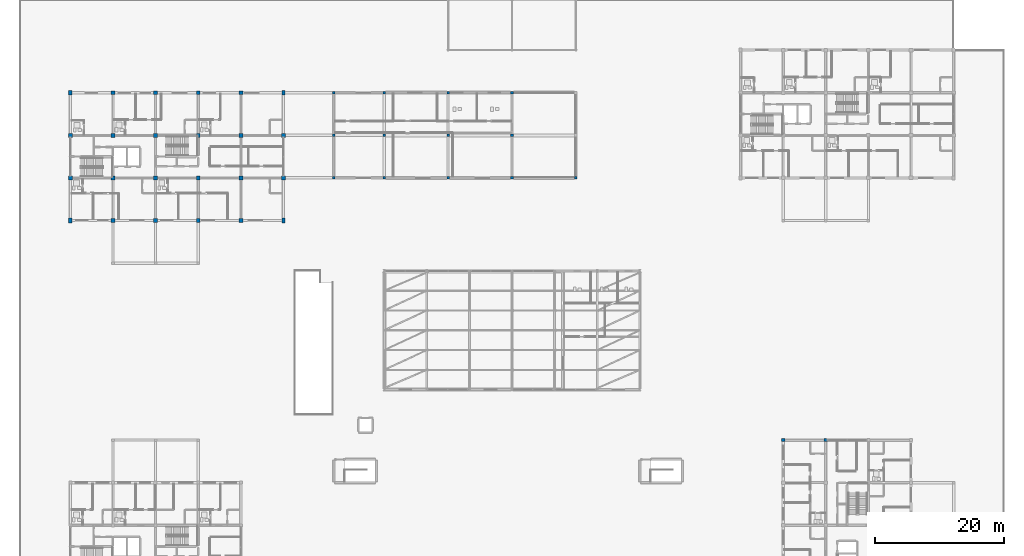
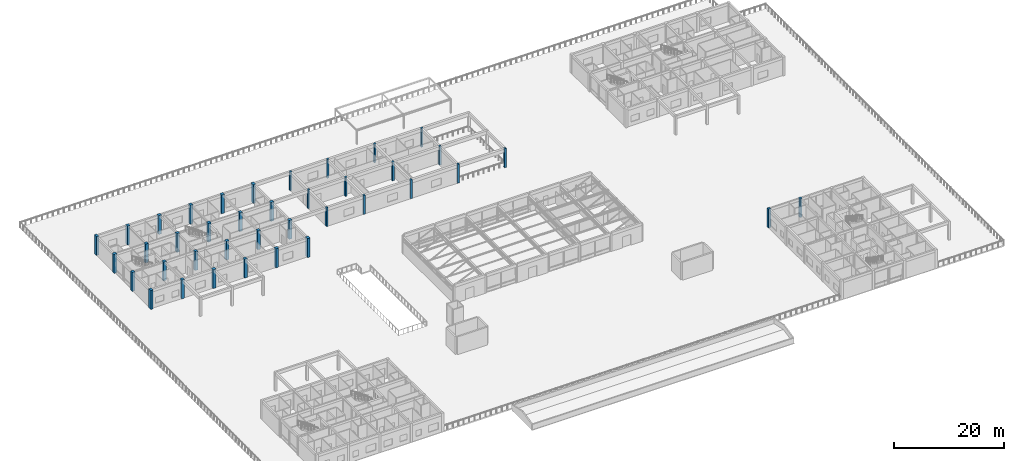
# One storey, part 6 of 92: 39 columns.
"""IFC4 building model written with IfcOpenShell, lengths in metres."""

import ifcopenshell
import ifcopenshell.guid

model = None  # the IFC model being written
_history = None  # IfcOwnerHistory: only IFC2X3 demands one
_inside = {}  # id of a spatial element -> (the spatial element, [elements in it])
_under = {}  # id of a project, library or spatial element -> (it, [spatial elements below it])
_declared = {}  # id of a project -> (the project, [libraries it declares])
_typed = {}  # id of a type object -> (the type object, [elements of that type])
_made_of = {}  # id of a material, layer set ... -> (it, [elements and type objects made of it])


def new_model(schema):
    """Start an empty IFC model of exactly this schema.

    Asked for "IFC4X3", IfcOpenShell would pick the latest addendum, in which some entities
    have other attributes; the version numbers below select the first issue.
    IFC2X3 requires an IfcOwnerHistory on every rooted entity: one is made here for all.
    """
    global model, _history
    if schema == "IFC4X3":
        model = ifcopenshell.file(schema_version=(4, 3, 0, 0))
    else:
        model = ifcopenshell.file(schema=schema)
    _inside.clear()
    _under.clear()
    _declared.clear()
    _typed.clear()
    _made_of.clear()
    _history = None
    if model.schema == "IFC2X3":
        org = make("IfcOrganization", Name="unknown")
        user = make(
            "IfcPersonAndOrganization",
            ThePerson=make("IfcPerson", FamilyName="unknown"),
            TheOrganization=org,
        )
        app = make(
            "IfcApplication",
            ApplicationDeveloper=org,
            Version="unknown",
            ApplicationFullName="unknown",
            ApplicationIdentifier="unknown",
        )
        _history = make(
            "IfcOwnerHistory",
            OwningUser=user,
            OwningApplication=app,
            ChangeAction="ADDED",
            CreationDate=0,
        )
    return model


def make(cls, **values):
    """One entity of the class cls with the attributes given. An attribute that is None is left unset."""
    return model.create_entity(
        cls, **{name: value for name, value in values.items() if value is not None}
    )


def rooted(cls, **values):
    """An entity with a GlobalId (a new one), such as an element, a storey or a relation."""
    return make(cls, GlobalId=ifcopenshell.guid.new(), OwnerHistory=_history, **values)


def si_unit(unit_type, name, prefix=None):
    """IfcSIUnit, for example si_unit("LENGTHUNIT", "METRE", prefix="MILLI")."""
    return make("IfcSIUnit", UnitType=unit_type, Prefix=prefix, Name=name)


def assignment(units):
    """IfcUnitAssignment: the units of a project."""
    return None if units is None else make("IfcUnitAssignment", Units=units)


def point(xyz):
    """IfcCartesianPoint."""
    return None if xyz is None else make("IfcCartesianPoint", Coordinates=xyz)


def direction(xyz):
    """IfcDirection."""
    return None if xyz is None else make("IfcDirection", DirectionRatios=xyz)


def frame(location, z_axis=None, x_axis=None):
    """IfcAxis2Placement3D, a coordinate frame: its origin and axes. An axis left out is left unset."""
    return make(
        "IfcAxis2Placement3D",
        Location=point(location),
        Axis=direction(z_axis),
        RefDirection=direction(x_axis),
    )


def frame_2d(location, x_axis=None):
    """IfcAxis2Placement2D, a coordinate frame in the plane: its origin and x axis."""
    return make(
        "IfcAxis2Placement2D", Location=point(location), RefDirection=direction(x_axis)
    )


def origin():
    """The frame at (0, 0, 0) with its axes left unset."""
    return frame((0.0, 0.0, 0.0))


def origin_2d():
    """The frame at (0, 0) in the plane with its x axis left unset."""
    return frame_2d((0.0, 0.0))


def place(relative_to, where):
    """IfcLocalPlacement: puts the frame where relative to a parent placement (None: the world)."""
    return make(
        "IfcLocalPlacement", PlacementRelTo=relative_to, RelativePlacement=where
    )


def context(
    kind, dimensions, precision=None, world=None, true_north=None, identifier=None
):
    """IfcGeometricRepresentationContext, for example the 3D "Model" context."""
    return make(
        "IfcGeometricRepresentationContext",
        ContextIdentifier=identifier,
        ContextType=kind,
        CoordinateSpaceDimension=dimensions,
        Precision=precision,
        WorldCoordinateSystem=world,
        TrueNorth=true_north,
    )


def subcontext(parent, identifier, kind, view, scale=None):
    """IfcGeometricRepresentationSubContext, for example "Body" below "Model"."""
    return make(
        "IfcGeometricRepresentationSubContext",
        ContextIdentifier=identifier,
        ContextType=kind,
        ParentContext=parent,
        TargetScale=scale,
        TargetView=view,
    )


def project(units=None, contexts=None):
    """IfcProject with its units and contexts."""
    return rooted(
        "IfcProject",
        Name="project",
        RepresentationContexts=contexts,
        UnitsInContext=assignment(units),
    )


def spatial(cls, under=None, at=None, **own):
    """A site, building, storey or space (cls), placed at a placement, below another one or the project."""
    s = rooted(cls, ObjectPlacement=at, **own)
    if under is not None:
        _under.setdefault(under.id(), (under, []))[1].append(s)
    return s


def profile(cls, at=None, kind="AREA", **sizes):
    """A parametric profile (cls). Its sizes go by their IFC names, for example OverallWidth=200.0."""
    return make(cls, ProfileType=kind, Position=at, **sizes)


def rectangle(**sizes):
    """IfcRectangleProfileDef."""
    return profile("IfcRectangleProfileDef", **sizes)


def extrude(swept, where, along, depth):
    """IfcExtrudedAreaSolid: the profile swept, set in the frame where, extruded along a direction by depth."""
    return make(
        "IfcExtrudedAreaSolid",
        SweptArea=swept,
        Position=where,
        ExtrudedDirection=direction(along),
        Depth=depth,
    )


def shape(context_of_items, identifier, shape_type, items):
    """IfcShapeRepresentation: the items that make up one representation, for example the "Body"."""
    return make(
        "IfcShapeRepresentation",
        ContextOfItems=context_of_items,
        RepresentationIdentifier=identifier,
        RepresentationType=shape_type,
        Items=items,
    )


def material(Name=None, Category=None):
    """IfcMaterial."""
    return make("IfcMaterial", Name=Name, Category=Category)


def material_profile(
    of_material, cross_section, Name=None, Category=None, Priority=None
):
    """IfcMaterialProfile: a cross section and its material."""
    return make(
        "IfcMaterialProfile",
        Name=Name,
        Material=of_material,
        Profile=cross_section,
        Priority=Priority,
        Category=Category,
    )


def profile_set(profiles, Name=None, composite=None):
    """IfcMaterialProfileSet."""
    return make(
        "IfcMaterialProfileSet",
        Name=Name,
        MaterialProfiles=profiles,
        CompositeProfile=composite,
    )


def made_of(thing, what):
    """Note that an element or type object is made of a material, layer set ...; save() writes the relation."""
    if what is not None:
        _made_of.setdefault(what.id(), (what, []))[1].append(thing)
    return thing


def type_object(cls, material=None, **own):
    """A type object (cls), such as IfcWallType, which elements share."""
    return made_of(rooted(cls, **own), material)


def element(
    cls,
    number,
    at=None,
    inside=None,
    cuts=None,
    type_object=None,
    material=None,
    context=None,
    identifier="Body",
    shape_type=None,
    held_by="IfcProductDefinitionShape",
    body=None,
    shapes=None,
    **own,
):
    """One element of the class cls, such as IfcWall. Its Tag is "e" and its number.

    at: its placement. inside: the storey or other place that contains it. cuts: it is an
    opening in that element (IfcRelVoidsElement). A single representation is given by context,
    identifier, shape_type and body (its items); several are given by shapes. held_by: the class
    of the entity that holds the representations. save() writes the other relations.
    """
    e = rooted(cls, Tag="e%d" % number, ObjectPlacement=at, **own)
    if body is not None:
        shapes = [shape(context, identifier, shape_type, body)]
    if shapes is not None:
        e.Representation = make(held_by, Representations=shapes)
    if inside is not None:
        _inside.setdefault(inside.id(), (inside, []))[1].append(e)
    if cuts is not None:
        rooted(
            "IfcRelVoidsElement", RelatingBuildingElement=cuts, RelatedOpeningElement=e
        )
    if type_object is not None:
        _typed.setdefault(type_object.id(), (type_object, []))[1].append(e)
    return made_of(e, material)


def aggregate(whole, parts):
    """IfcRelAggregates: a whole, such as a stair, and the parts it consists of."""
    return rooted("IfcRelAggregates", RelatingObject=whole, RelatedObjects=parts)


def save(model, path):
    """Write the relations noted so far, then the file.

    IfcRelAggregates (storeys below a building ...), IfcRelContainedInSpatialStructure (elements
    in a storey), IfcRelDefinesByType, IfcRelAssociatesMaterial and IfcRelDeclares: one each for
    every whole, place, type object, material and project.
    """
    for whole, parts in _under.values():
        aggregate(whole, parts)
    for where, things in _inside.values():
        rooted(
            "IfcRelContainedInSpatialStructure",
            RelatedElements=things,
            RelatingStructure=where,
        )
    for kind, things in _typed.values():
        rooted("IfcRelDefinesByType", RelatedObjects=things, RelatingType=kind)
    for what, things in _made_of.values():
        rooted("IfcRelAssociatesMaterial", RelatedObjects=things, RelatingMaterial=what)
    for by, libraries in _declared.values():
        rooted("IfcRelDeclares", RelatingContext=by, RelatedDefinitions=libraries)
    model.write(path)


model = new_model("IFC4")

# Units and contexts
model_context = context("Model", 3, precision=1e-05, world=origin(), true_north=direction((0.0, 1.0)))
body_context = subcontext(model_context, "Body", "Model", "MODEL_VIEW")
ifc_project = project(units=[si_unit("LENGTHUNIT", "METRE"), si_unit("AREAUNIT", "SQUARE_METRE"), si_unit("VOLUMEUNIT", "CUBIC_METRE"), si_unit("PLANEANGLEUNIT", "RADIAN"), si_unit("MASSUNIT", "GRAM", prefix="KILO")], contexts=[model_context])

# Site, building, storey
site_placement = place(None, origin())
site = spatial("IfcSite", under=ifc_project, at=site_placement, CompositionType="ELEMENT")
building_placement = place(site_placement, origin())
building = spatial("IfcBuilding", under=site, at=building_placement, Name="Kernevlak Ridge Housing Community", CompositionType="ELEMENT")
storey_placement = place(building_placement, frame((0.0, 0.0, 4.199951171875)))
storey = spatial("IfcBuildingStorey", under=building, at=storey_placement, Name="L01", CompositionType="ELEMENT", Elevation=4.199951171875)

# Columns
ifc_material_1 = material(Name="Concrete C40/50", Category="concrete")
ifc_material_profile_1 = material_profile(ifc_material_1, rectangle(XDim=0.60009765625, YDim=0.60009765625, at=origin_2d()), Name="RC 600x600")
ifc_profile_set_1 = profile_set([ifc_material_profile_1], Name="Concrete C40/50")
column_type_1 = type_object("IfcColumnType", Name="C-01", PredefinedType="COLUMN", material=ifc_profile_set_1)
for number, where, z_axis, x_axis, name in (
    (1, (15.60009765625, 82.60009765625, 0.0), (0.0, 0.0, 1.0), (1.0, 0.0, 0.0), "Column C-01 COL-A-L01-00-1"),
    (2, (15.60009765625, 89.199951171875, 0.0), (0.0, 0.0, 1.0), (1.0, 0.0, 0.0), "Column C-01 COL-A-L01-00-2"),
    (3, (22.199951171875, 76.0, 0.0), (0.0, 0.0, 1.0), (1.0, 0.0, 0.0), "Column C-01 COL-A-L01-01-0"),
    (4, (22.199951171875, 82.60009765625, 0.0), (0.0, 0.0, 1.0), (1.0, 0.0, 0.0), "Column C-01 COL-A-L01-01-1"),
    (5, (22.199951171875, 89.199951171875, 0.0), (0.0, 0.0, 1.0), (1.0, 0.0, 0.0), "Column C-01 COL-A-L01-01-2"),
    (6, (22.199951171875, 95.800048828125, 0.0), (0.0, 0.0, 1.0), (1.0, 0.0, 0.0), "Column C-01 COL-A-L01-01-3"),
    (7, (28.800048828125, 76.0, 0.0), (0.0, 0.0, 1.0), (1.0, 0.0, 0.0), "Column C-01 COL-A-L01-02-0"),
    (8, (28.800048828125, 82.60009765625, 0.0), (0.0, 0.0, 1.0), (1.0, 0.0, 0.0), "Column C-01 COL-A-L01-02-1"),
    (9, (28.800048828125, 89.199951171875, 0.0), (0.0, 0.0, 1.0), (1.0, 0.0, 0.0), "Column C-01 COL-A-L01-02-2"),
    (10, (28.800048828125, 95.800048828125, 0.0), (0.0, 0.0, 1.0), (1.0, 0.0, 0.0), "Column C-01 COL-A-L01-02-3"),
    (11, (35.39990234375, 76.0, 0.0), (0.0, 0.0, 1.0), (1.0, 0.0, 0.0), "Column C-01 COL-A-L01-03-0"),
    (12, (35.39990234375, 82.60009765625, 0.0), (0.0, 0.0, 1.0), (1.0, 0.0, 0.0), "Column C-01 COL-A-L01-03-1"),
    (13, (35.39990234375, 89.199951171875, 0.0), (0.0, 0.0, 1.0), (1.0, 0.0, 0.0), "Column C-01 COL-A-L01-03-2"),
    (14, (35.39990234375, 95.800048828125, 0.0), (0.0, 0.0, 1.0), (1.0, 0.0, 0.0), "Column C-01 COL-A-L01-03-3"),
    (15, (42.0, 76.0, 0.0), (0.0, 0.0, 1.0), (1.0, 0.0, 0.0), "Column C-01 COL-A-L01-04-0"),
    (16, (42.0, 82.60009765625, 0.0), (0.0, 0.0, 1.0), (1.0, 0.0, 0.0), "Column C-01 COL-A-L01-04-1"),
    (17, (42.0, 89.199951171875, 0.0), (0.0, 0.0, 1.0), (1.0, 0.0, 0.0), "Column C-01 COL-A-L01-04-2"),
    (18, (42.0, 95.800048828125, 0.0), (0.0, 0.0, 1.0), (1.0, 0.0, 0.0), "Column C-01 COL-A-L01-04-3"),
    (19, (48.60009765625, 82.60009765625, 0.0), (0.0, 0.0, 1.0), (1.0, 0.0, 0.0), "Column C-01 COL-A-L01-05-1"),
    (20, (48.60009765625, 89.199951171875, 0.0), (0.0, 0.0, 1.0), (1.0, 0.0, 0.0), "Column C-01 COL-A-L01-05-2"),
):
    element("IfcColumn", number, at=place(storey_placement, frame(where, z_axis=z_axis, x_axis=x_axis)), inside=storey, type_object=column_type_1, Name=name, PredefinedType="COLUMN", context=body_context, shape_type="SweptSolid", body=[
        extrude(rectangle(XDim=0.60009765625, YDim=0.60009765625, at=origin_2d()), origin(), (0.0, 0.0, 1.0), 4.199951171875),
    ])
ifc_material_profile_2 = material_profile(ifc_material_1, rectangle(XDim=0.5, YDim=0.5, at=origin_2d()), Name="RC 500x500")
ifc_profile_set_2 = profile_set([ifc_material_profile_2], Name="Concrete C40/50")
column_type_2 = type_object("IfcColumnType", Name="C-03", PredefinedType="COLUMN", material=ifc_profile_set_2)
for number, where, z_axis, x_axis, name in (
    (21, (126.0, 42.0, 0.0), (0.0, 0.0, 1.0), (1.0, 0.0, 0.0), "Column C-03 COL-C-L01-04-0"),
    (22, (132.60009765625, 42.0, 0.0), (0.0, 0.0, 1.0), (1.0, 0.0, 0.0), "Column C-03 COL-C-L01-04-1"),
):
    element("IfcColumn", number, at=place(storey_placement, frame(where, z_axis=z_axis, x_axis=x_axis)), inside=storey, type_object=column_type_2, Name=name, PredefinedType="COLUMN", context=body_context, shape_type="SweptSolid", body=[
        extrude(rectangle(XDim=0.5, YDim=0.5, at=origin_2d()), origin(), (0.0, 0.0, 1.0), 4.199951171875),
    ])
ifc_material_2 = material(Name="Concrete C35/45", Category="concrete")
ifc_material_profile_3 = material_profile(ifc_material_2, rectangle(XDim=0.39990234375, YDim=0.39990234375, at=origin_2d()), Name="RC 400x400")
ifc_profile_set_3 = profile_set([ifc_material_profile_3], Name="Concrete C35/45")
column_type_3 = type_object("IfcColumnType", Name="C-05", PredefinedType="COLUMN", material=ifc_profile_set_3)
for number, where, z_axis, x_axis, name in (
    (23, (56.39990234375, 82.60009765625, 0.0), (0.0, 0.0, 1.0), (1.0, 0.0, 0.0), "Column C-05 COL-NUR-L01-103"),
    (24, (56.39990234375, 89.199951171875, 0.0), (0.0, 0.0, 1.0), (1.0, 0.0, 0.0), "Column C-05 COL-NUR-L01-104"),
    (25, (56.39990234375, 95.800048828125, 0.0), (0.0, 0.0, 1.0), (1.0, 0.0, 0.0), "Column C-05 COL-NUR-L01-105"),
    (26, (64.199951171875, 82.60009765625, 0.0), (0.0, 0.0, 1.0), (1.0, 0.0, 0.0), "Column C-05 COL-NUR-L01-120"),
    (27, (64.199951171875, 89.199951171875, 0.0), (0.0, 0.0, 1.0), (1.0, 0.0, 0.0), "Column C-05 COL-NUR-L01-121"),
    (28, (64.199951171875, 95.800048828125, 0.0), (0.0, 0.0, 1.0), (1.0, 0.0, 0.0), "Column C-05 COL-NUR-L01-122"),
    (29, (74.10009765625, 82.60009765625, 0.0), (0.0, 0.0, 1.0), (1.0, 0.0, 0.0), "Column C-05 COL-NUR-L01-137"),
    (30, (74.10009765625, 89.199951171875, 0.0), (0.0, 0.0, 1.0), (1.0, 0.0, 0.0), "Column C-05 COL-NUR-L01-138"),
    (31, (74.10009765625, 95.800048828125, 0.0), (0.0, 0.0, 1.0), (1.0, 0.0, 0.0), "Column C-05 COL-NUR-L01-139"),
    (32, (84.0, 82.60009765625, 0.0), (0.0, 0.0, 1.0), (1.0, 0.0, 0.0), "Column C-05 COL-NUR-L01-154"),
    (33, (84.0, 89.199951171875, 0.0), (0.0, 0.0, 1.0), (1.0, 0.0, 0.0), "Column C-05 COL-NUR-L01-155"),
    (34, (84.0, 95.800048828125, 0.0), (0.0, 0.0, 1.0), (1.0, 0.0, 0.0), "Column C-05 COL-NUR-L01-156"),
    (35, (93.89990234375, 82.60009765625, 0.0), (0.0, 0.0, 1.0), (1.0, 0.0, 0.0), "Column C-05 COL-NUR-L01-171"),
):
    element("IfcColumn", number, at=place(storey_placement, frame(where, z_axis=z_axis, x_axis=x_axis)), inside=storey, type_object=column_type_3, Name=name, PredefinedType="COLUMN", context=body_context, shape_type="SweptSolid", body=[
        extrude(rectangle(XDim=0.39990234375, YDim=0.39990234375, at=origin_2d()), origin(), (0.0, 0.0, 1.0), 4.199951171875),
    ])
ifc_material_profile_4 = material_profile(ifc_material_1, rectangle(XDim=0.5, YDim=0.75, at=origin_2d()), Name="RC 500x750")
ifc_profile_set_4 = profile_set([ifc_material_profile_4], Name="Concrete C40/50")
column_type_4 = type_object("IfcColumnType", Name="C-07", PredefinedType="COLUMN", material=ifc_profile_set_4)
for number, where, z_axis, x_axis, name in (
    (36, (15.60009765625, 76.0, 0.0), (0.0, 0.0, 1.0), (1.0, 0.0, 0.0), "Column C-07 COL-A-L01-00-0"),
    (37, (15.60009765625, 95.800048828125, 0.0), (0.0, 0.0, 1.0), (1.0, 0.0, 0.0), "Column C-07 COL-A-L01-00-3"),
    (38, (48.60009765625, 76.0, 0.0), (0.0, 0.0, 1.0), (1.0, 0.0, 0.0), "Column C-07 COL-A-L01-05-0"),
    (39, (48.60009765625, 95.800048828125, 0.0), (0.0, 0.0, 1.0), (1.0, 0.0, 0.0), "Column C-07 COL-A-L01-05-3"),
):
    element("IfcColumn", number, at=place(storey_placement, frame(where, z_axis=z_axis, x_axis=x_axis)), inside=storey, type_object=column_type_4, Name=name, PredefinedType="COLUMN", context=body_context, shape_type="SweptSolid", body=[
        extrude(rectangle(XDim=0.5, YDim=0.75, at=origin_2d()), origin(), (0.0, 0.0, 1.0), 4.199951171875),
    ])

save(model, "model.ifc")
